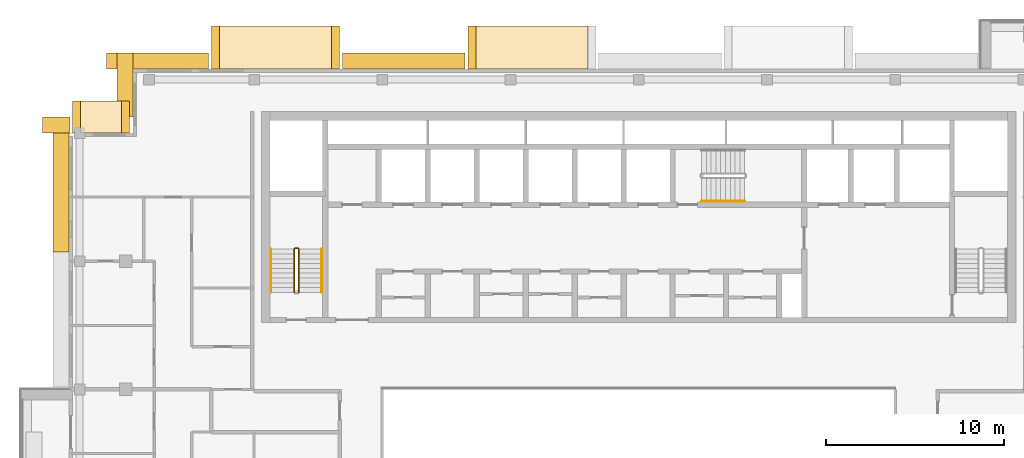
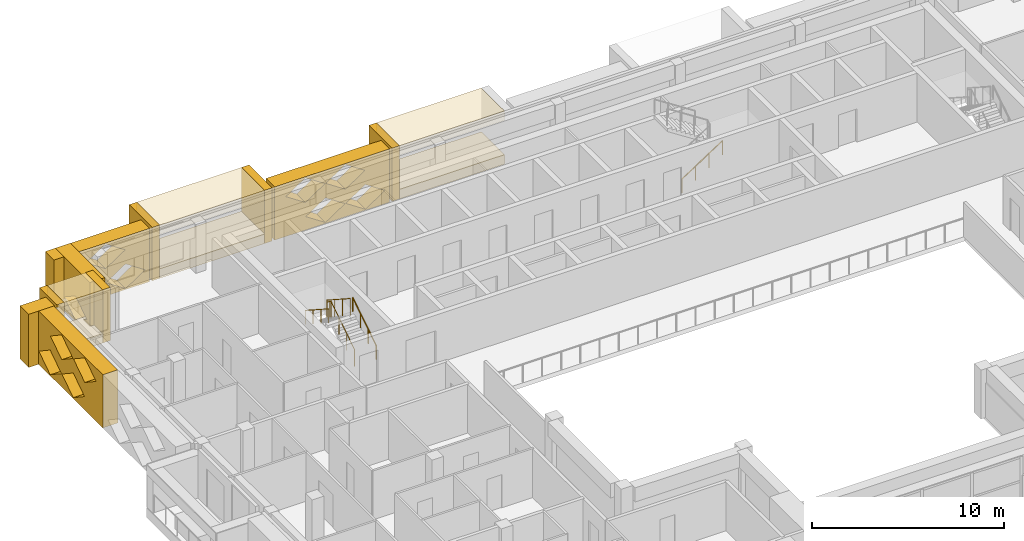
# One storey, part 17 of 19: 16 coverings, 4 railings.
"""IFC4 building model written with IfcOpenShell, lengths in metres."""

from ifc_helpers import new_model, si_unit, direction, frame, origin, origin_2d, place, context, subcontext, project, spatial, polyline, circle, outline, extrude, material, type_object, element, save


model = new_model("IFC4")

# Units and contexts
model_context = context("Model", 3, precision=1e-05, world=origin(), true_north=direction((0.0, 1.0)))
body_context = subcontext(model_context, "Body", "Model", "MODEL_VIEW")
ifc_project = project(units=[si_unit("LENGTHUNIT", "METRE"), si_unit("AREAUNIT", "SQUARE_METRE"), si_unit("VOLUMEUNIT", "CUBIC_METRE"), si_unit("PLANEANGLEUNIT", "RADIAN"), si_unit("MASSUNIT", "GRAM", prefix="KILO")], contexts=[model_context])

# Site, building, storey
site_placement = place(None, origin())
site = spatial("IfcSite", under=ifc_project, at=site_placement, CompositionType="ELEMENT")
building_placement = place(site_placement, origin())
building = spatial("IfcBuilding", under=site, at=building_placement, Name="Saffron Iwan Residences", CompositionType="ELEMENT")
storey_placement = place(building_placement, frame((0.0, 0.0, 267.5)))
storey = spatial("IfcBuildingStorey", under=building, at=storey_placement, Name="L72", CompositionType="ELEMENT", Elevation=267.5)

# Coverings
ifc_material_1 = material(Name="Precast concrete C40/50", Category="concrete")
covering_type_1 = type_object("IfcCoveringType", Name="OUTER SKIN LATTICE SCREEN", PredefinedType="CLADDING", material=ifc_material_1)
covering_1_placement = place(storey_placement, frame((40.64990234375, 80.39990234375, -0.280029296875), z_axis=(0.0, 1.0, 0.0), x_axis=(-1.0, 0.0, 0.0)))
element("IfcCovering", 1, at=covering_1_placement, inside=storey, type_object=covering_type_1, Name="OUTER SKIN lattice screen L72 F5.3", PredefinedType="CLADDING", context=body_context, shape_type="SweptSolid", body=[
    extrude(outline(polyline([(0.0, 0.0), (6.89990234375, 0.0), (6.89990234375, 3.37890625), (0.0, 3.37890625), (0.0, 0.0)]), holes=[polyline([(0.27001953125, 0.8447265625), (1.449951171875, 0.06005859375), (2.6298828125, 0.8447265625), (1.449951171875, 1.62939453125), (0.27001953125, 0.8447265625)]), polyline([(2.669921875, 0.8447265625), (3.85009765625, 0.06005859375), (5.030029296875, 0.8447265625), (3.85009765625, 1.62939453125), (2.669921875, 0.8447265625)]), polyline([(1.469970703125, 2.5341796875), (2.64990234375, 1.74951171875), (3.830078125, 2.5341796875), (2.64990234375, 3.319091796875), (1.469970703125, 2.5341796875)]), polyline([(3.8701171875, 2.5341796875), (5.050048828125, 1.74951171875), (6.22998046875, 2.5341796875), (5.050048828125, 3.319091796875), (3.8701171875, 2.5341796875)])]), origin(), (0.0, 0.0, 1.0), 0.900146484375),
])
covering_2_placement = place(storey_placement, frame((26.25, 80.39990234375, -0.280029296875), z_axis=(0.0, 1.0, 0.0), x_axis=(-1.0, 0.0, 0.0)))
element("IfcCovering", 2, at=covering_2_placement, inside=storey, type_object=covering_type_1, Name="OUTER SKIN lattice screen L72 F5.4", PredefinedType="CLADDING", context=body_context, shape_type="SweptSolid", body=[
    extrude(outline(polyline([(0.0, 0.0), (5.75, 0.0), (5.75, 3.37890625), (0.0, 3.37890625), (0.0, 0.0)]), holes=[polyline([(0.27001953125, 0.8447265625), (1.449951171875, 0.06005859375), (2.6298828125, 0.8447265625), (1.449951171875, 1.62939453125), (0.27001953125, 0.8447265625)]), polyline([(2.669921875, 0.8447265625), (3.85009765625, 0.06005859375), (5.030029296875, 0.8447265625), (3.85009765625, 1.62939453125), (2.669921875, 0.8447265625)]), polyline([(1.469970703125, 2.5341796875), (2.64990234375, 1.74951171875), (3.830078125, 2.5341796875), (2.64990234375, 3.319091796875), (1.469970703125, 2.5341796875)])]), origin(), (0.0, 0.0, 1.0), 0.900146484375),
])
covering_3_placement = place(storey_placement, frame((22.0, 81.300048828125, -0.280029296875), z_axis=(-1.0, 0.0, 0.0), x_axis=(0.0, -1.0, 0.0)))
element("IfcCovering", 3, at=covering_3_placement, inside=storey, type_object=covering_type_1, Name="OUTER SKIN lattice screen L72 F6.0", PredefinedType="CLADDING", context=body_context, shape_type="SweptSolid", body=[
    extrude(outline(polyline([(0.0, 0.0), (3.60009765625, 0.0), (3.60009765625, 3.37890625), (0.0, 3.37890625), (0.0, 0.0)]), holes=[polyline([(0.919921875, 0.8447265625), (2.10009765625, 0.06005859375), (3.280029296875, 0.8447265625), (2.10009765625, 1.62939453125), (0.919921875, 0.8447265625)])]), origin(), (0.0, 0.0, 1.0), 0.89990234375),
])
covering_4_placement = place(storey_placement, frame((18.449951171875, 76.800048828125, -0.280029296875), z_axis=(0.0, 1.0, 0.0), x_axis=(-1.0, 0.0, 0.0)))
element("IfcCovering", 4, at=covering_4_placement, inside=storey, type_object=covering_type_1, Name="OUTER SKIN lattice screen L72 F7.0", PredefinedType="CLADDING", context=body_context, shape_type="SweptSolid", body=[
    extrude(outline(polyline([(0.0, 0.0), (1.550048828125, 0.0), (1.550048828125, 3.37890625), (0.0, 3.37890625), (0.0, 0.0)])), origin(), (0.0, 0.0, 1.0), 0.89990234375),
])
covering_5_placement = place(storey_placement, frame((18.39990234375, 77.699951171875, -0.280029296875), z_axis=(-1.0, 0.0, 0.0), x_axis=(0.0, -1.0, 0.0)))
element("IfcCovering", 5, at=covering_5_placement, inside=storey, type_object=covering_type_1, Name="OUTER SKIN lattice screen L72 F8.0", PredefinedType="CLADDING", context=body_context, shape_type="SweptSolid", body=[
    extrude(outline(polyline([(0.0, 0.0), (7.574951171875, 0.0), (7.574951171875, 3.37890625), (0.0, 3.37890625), (0.0, 0.0)]), holes=[polyline([(0.919921875, 0.8447265625), (2.10009765625, 0.06005859375), (3.280029296875, 0.8447265625), (2.10009765625, 1.62939453125), (0.919921875, 0.8447265625)]), polyline([(3.320068359375, 0.8447265625), (4.5, 0.06005859375), (5.679931640625, 0.8447265625), (4.5, 1.62939453125), (3.320068359375, 0.8447265625)]), polyline([(2.1201171875, 2.5341796875), (3.300048828125, 1.74951171875), (4.47998046875, 2.5341796875), (3.300048828125, 3.319091796875), (2.1201171875, 2.5341796875)]), polyline([(4.52001953125, 2.5341796875), (5.699951171875, 1.74951171875), (6.8798828125, 2.5341796875), (5.699951171875, 3.319091796875), (4.52001953125, 2.5341796875)])]), origin(), (0.0, 0.0, 1.0), 0.89990234375),
])

# Railings
ifc_material_2 = material(Name="Steel S355", Category="steel")
railing_type_1 = type_object("IfcRailingType", Name="Stair guard 1100", PredefinedType="GUARDRAIL", material=ifc_material_2)
railing_1_placement = place(storey_placement, frame((31.300048828125, 67.85009765625, 0.175048828125)))
element("IfcRailing", 6, at=railing_1_placement, inside=storey, type_object=railing_type_1, Name="L72 ST-W stair guard 1", PredefinedType="GUARDRAIL", context=body_context, shape_type="SweptSolid", body=[
    extrude(circle(Radius=0.02392578125, at=origin_2d()), frame((0.0, 0.0, 1.076171875), z_axis=(0.0, 0.839153699163, 0.543894354798), x_axis=(-1.0, 0.0, 0.0)), (0.0, 0.0, 1.0), 2.895751953125),
    extrude(circle(Radius=0.02392578125, at=origin_2d()), frame((0.0, 2.429931640625, 2.65087890625), z_axis=(-0.707106781187, 0.707106781187, 0.0), x_axis=(-0.707106781187, -0.707106781187, 0.0)), (0.0, 0.0, 1.0), 0.07080078125),
    extrude(circle(Radius=0.02392578125, at=origin_2d()), frame((-0.050048828125, 2.47998046875, 2.65087890625), z_axis=(-1.0, 0.0, 0.0), x_axis=(0.0, -1.0, 0.0)), (0.0, 0.0, 1.0), 0.14990234375),
    extrude(circle(Radius=0.02392578125, at=origin_2d()), frame((-0.199951171875, 2.47998046875, 2.65087890625), z_axis=(-0.265065253269, -0.265065253269, 0.927081885822), x_axis=(0.707106781187, -0.707106781187, 0.0)), (0.0, 0.0, 1.0), 0.188720703125),
    extrude(circle(Radius=0.02392578125, at=origin_2d()), frame((-0.25, 2.429931640625, 2.826171875), z_axis=(0.0, -0.839153699163, 0.543894354798), x_axis=(1.0, 0.0, 0.0)), (0.0, 0.0, 1.0), 2.895751953125),
    extrude(circle(Radius=0.02099609375, at=origin_2d()), origin(), (0.0, 0.0, 1.0), 1.052001953125),
    extrude(circle(Radius=0.02099609375, at=origin_2d()), frame((0.0, 0.81005859375, 0.52490234375)), (0.0, 0.0, 1.0), 1.052001953125),
    extrude(circle(Radius=0.02099609375, at=origin_2d()), frame((0.0, 1.619873046875, 1.050048828125)), (0.0, 0.0, 1.0), 1.052001953125),
    extrude(circle(Radius=0.02099609375, at=origin_2d()), frame((0.0, 2.429931640625, 1.574951171875)), (0.0, 0.0, 1.0), 1.052001953125),
    extrude(circle(Radius=0.02099609375, at=origin_2d()), frame((-0.050048828125, 2.47998046875, 1.574951171875)), (0.0, 0.0, 1.0), 1.052001953125),
    extrude(circle(Radius=0.02099609375, at=origin_2d()), frame((-0.199951171875, 2.47998046875, 1.574951171875)), (0.0, 0.0, 1.0), 1.052001953125),
    extrude(circle(Radius=0.02099609375, at=origin_2d()), frame((-0.25, 2.429931640625, 1.75)), (0.0, 0.0, 1.0), 1.052001953125),
    extrude(circle(Radius=0.02099609375, at=origin_2d()), frame((-0.25, 1.619873046875, 2.27490234375)), (0.0, 0.0, 1.0), 1.052001953125),
    extrude(circle(Radius=0.02099609375, at=origin_2d()), frame((-0.25, 0.81005859375, 2.800048828125)), (0.0, 0.0, 1.0), 1.052001953125),
    extrude(circle(Radius=0.02099609375, at=origin_2d()), frame((-0.25, 0.0, 3.324951171875)), (0.0, 0.0, 1.0), 1.052001953125),
])
ifc_material_3 = material(Name="Stainless steel 316", Category="steel")
railing_type_2 = type_object("IfcRailingType", Name="Stair handrail 900", PredefinedType="HANDRAIL", material=ifc_material_3)
railing_2_placement = place(storey_placement, frame((32.60009765625, 67.85009765625, 0.175048828125)))
element("IfcRailing", 7, at=railing_2_placement, inside=storey, type_object=railing_type_2, Name="L72 ST-W stair handrail 1", PredefinedType="HANDRAIL", context=body_context, shape_type="SweptSolid", body=[
    extrude(circle(Radius=0.02392578125, at=origin_2d()), frame((0.0, 0.0, 0.8759765625), z_axis=(0.0, 0.839153699163, 0.543894354798), x_axis=(-1.0, 0.0, 0.0)), (0.0, 0.0, 1.0), 2.895751953125),
    extrude(circle(Radius=0.02099609375, at=origin_2d()), origin(), (0.0, 0.0, 1.0), 0.851806640625),
    extrude(circle(Radius=0.02099609375, at=origin_2d()), frame((0.0, 0.81005859375, 0.52490234375)), (0.0, 0.0, 1.0), 0.851806640625),
    extrude(circle(Radius=0.02099609375, at=origin_2d()), frame((0.0, 1.619873046875, 1.050048828125)), (0.0, 0.0, 1.0), 0.851806640625),
    extrude(circle(Radius=0.02099609375, at=origin_2d()), frame((0.0, 2.429931640625, 1.574951171875)), (0.0, 0.0, 1.0), 0.851806640625),
])
railing_3_placement = place(storey_placement, frame((29.75, 70.280029296875, 1.925048828125)))
element("IfcRailing", 8, at=railing_3_placement, inside=storey, type_object=railing_type_2, Name="L72 ST-W stair handrail 2", PredefinedType="HANDRAIL", context=body_context, shape_type="SweptSolid", body=[
    extrude(circle(Radius=0.02392578125, at=origin_2d()), frame((0.0, 0.0, 0.8759765625), z_axis=(0.0, -0.839153699163, 0.543894354798), x_axis=(1.0, 0.0, 0.0)), (0.0, 0.0, 1.0), 2.895751953125),
    extrude(circle(Radius=0.02099609375, at=origin_2d()), origin(), (0.0, 0.0, 1.0), 0.851806640625),
    extrude(circle(Radius=0.02099609375, at=origin_2d()), frame((0.0, -0.81005859375, 0.52490234375)), (0.0, 0.0, 1.0), 0.851806640625),
    extrude(circle(Radius=0.02099609375, at=origin_2d()), frame((0.0, -1.619873046875, 1.050048828125)), (0.0, 0.0, 1.0), 0.851806640625),
    extrude(circle(Radius=0.02099609375, at=origin_2d()), frame((0.0, -2.429931640625, 1.574951171875)), (0.0, 0.0, 1.0), 0.851806640625),
])
railing_4_placement = place(storey_placement, frame((53.925048828125, 72.97509765625, 0.175048828125)))
element("IfcRailing", 9, at=railing_4_placement, inside=storey, type_object=railing_type_2, Name="L72 ST-C stair handrail 1", PredefinedType="HANDRAIL", context=body_context, shape_type="SweptSolid", body=[
    extrude(circle(Radius=0.02392578125, at=origin_2d()), frame((0.0, 0.0, 0.8759765625), z_axis=(0.839153699163, 0.0, 0.543894354798), x_axis=(0.0, 1.0, 0.0)), (0.0, 0.0, 1.0), 2.895751953125),
    extrude(circle(Radius=0.02099609375, at=origin_2d()), origin(), (0.0, 0.0, 1.0), 0.851806640625),
    extrude(circle(Radius=0.02099609375, at=origin_2d()), frame((0.81005859375, 0.0, 0.52490234375)), (0.0, 0.0, 1.0), 0.851806640625),
    extrude(circle(Radius=0.02099609375, at=origin_2d()), frame((1.619873046875, 0.0, 1.050048828125)), (0.0, 0.0, 1.0), 0.851806640625),
    extrude(circle(Radius=0.02099609375, at=origin_2d()), frame((2.429931640625, 0.0, 1.574951171875)), (0.0, 0.0, 1.0), 0.851806640625),
])

# Coverings
ifc_material_4 = material(Name="Precast concrete C40/50 white painted", Category="concrete")
covering_type_2 = type_object("IfcCoveringType", Name="WHITE SUN FRAME PRECAST", PredefinedType="CLADDING", material=ifc_material_4)
covering_6_placement = place(storey_placement, frame((41.25, 80.39990234375, -0.280029296875), z_axis=(0.0, 1.0, 0.0), x_axis=(-1.0, 0.0, 0.0)))
element("IfcCovering", 10, at=covering_6_placement, inside=storey, type_object=covering_type_2, Name="Sun frame L72 F5 30.8b", PredefinedType="CLADDING", context=body_context, shape_type="SweptSolid", body=[
    extrude(outline(polyline([(0.0, 0.0), (0.449951171875, 0.0), (0.449951171875, 3.37890625), (0.0, 3.37890625), (0.0, 0.0)])), origin(), (0.0, 0.0, 1.0), 2.400146484375),
])
for number, where, z_axis, x_axis, name in (
    (11, (47.550048828125, 80.39990234375, 2.4990234375), (0.0, 1.0, 0.0), (-1.0, 0.0, 0.0), "Sun frame L72 F5 30.8h"),
    (12, (47.550048828125, 80.39990234375, -0.280029296875), (0.0, 1.0, 0.0), (-1.0, 0.0, 0.0), "Sun frame L72 F5 30.8s"),
):
    element("IfcCovering", number, at=place(storey_placement, frame(where, z_axis=z_axis, x_axis=x_axis)), inside=storey, type_object=covering_type_2, Name=name, PredefinedType="CLADDING", context=body_context, shape_type="SweptSolid", body=[
        extrude(outline(polyline([(0.0, 0.0), (6.300048828125, 0.0), (6.300048828125, 0.60009765625), (0.0, 0.60009765625), (0.0, 0.0)])), origin(), (0.0, 0.0, 1.0), 2.400146484375),
    ])
for number, where, z_axis, x_axis, name in (
    (13, (33.60009765625, 80.39990234375, -0.280029296875), (0.0, 1.0, 0.0), (-1.0, 0.0, 0.0), "Sun frame L72 F5 45.2a"),
    (14, (26.85009765625, 80.39990234375, -0.280029296875), (0.0, 1.0, 0.0), (-1.0, 0.0, 0.0), "Sun frame L72 F5 45.2b"),
):
    element("IfcCovering", number, at=place(storey_placement, frame(where, z_axis=z_axis, x_axis=x_axis)), inside=storey, type_object=covering_type_2, Name=name, PredefinedType="CLADDING", context=body_context, shape_type="SweptSolid", body=[
        extrude(outline(polyline([(0.0, 0.0), (0.449951171875, 0.0), (0.449951171875, 3.37890625), (0.0, 3.37890625), (0.0, 0.0)])), origin(), (0.0, 0.0, 1.0), 2.400146484375),
    ])
for number, where, z_axis, x_axis, name in (
    (15, (33.14990234375, 80.39990234375, 2.4990234375), (0.0, 1.0, 0.0), (-1.0, 0.0, 0.0), "Sun frame L72 F5 45.2h"),
    (16, (33.14990234375, 80.39990234375, -0.280029296875), (0.0, 1.0, 0.0), (-1.0, 0.0, 0.0), "Sun frame L72 F5 45.2s"),
):
    element("IfcCovering", number, at=place(storey_placement, frame(where, z_axis=z_axis, x_axis=x_axis)), inside=storey, type_object=covering_type_2, Name=name, PredefinedType="CLADDING", context=body_context, shape_type="SweptSolid", body=[
        extrude(outline(polyline([(0.0, 0.0), (6.300048828125, 0.0), (6.300048828125, 0.60009765625), (0.0, 0.60009765625), (0.0, 0.0)])), origin(), (0.0, 0.0, 1.0), 2.400146484375),
    ])
for number, where, z_axis, x_axis, name in (
    (17, (21.800048828125, 76.800048828125, -0.280029296875), (0.0, 1.0, 0.0), (-1.0, 0.0, 0.0), "Sun frame L72 F7 0.2a"),
    (18, (19.050048828125, 76.800048828125, -0.280029296875), (0.0, 1.0, 0.0), (-1.0, 0.0, 0.0), "Sun frame L72 F7 0.2b"),
):
    element("IfcCovering", number, at=place(storey_placement, frame(where, z_axis=z_axis, x_axis=x_axis)), inside=storey, type_object=covering_type_2, Name=name, PredefinedType="CLADDING", context=body_context, shape_type="SweptSolid", body=[
        extrude(outline(polyline([(0.0, 0.0), (0.449951171875, 0.0), (0.449951171875, 3.37890625), (0.0, 3.37890625), (0.0, 0.0)])), origin(), (0.0, 0.0, 1.0), 1.800048828125),
    ])
for number, where, z_axis, x_axis, name in (
    (19, (21.35009765625, 76.800048828125, 2.4990234375), (0.0, 1.0, 0.0), (-1.0, 0.0, 0.0), "Sun frame L72 F7 0.2h"),
    (20, (21.35009765625, 76.800048828125, -0.280029296875), (0.0, 1.0, 0.0), (-1.0, 0.0, 0.0), "Sun frame L72 F7 0.2s"),
):
    element("IfcCovering", number, at=place(storey_placement, frame(where, z_axis=z_axis, x_axis=x_axis)), inside=storey, type_object=covering_type_2, Name=name, PredefinedType="CLADDING", context=body_context, shape_type="SweptSolid", body=[
        extrude(outline(polyline([(0.0, 0.0), (2.300048828125, 0.0), (2.300048828125, 0.60009765625), (0.0, 0.60009765625), (0.0, 0.0)])), origin(), (0.0, 0.0, 1.0), 1.800048828125),
    ])

save(model, "model.ifc")
